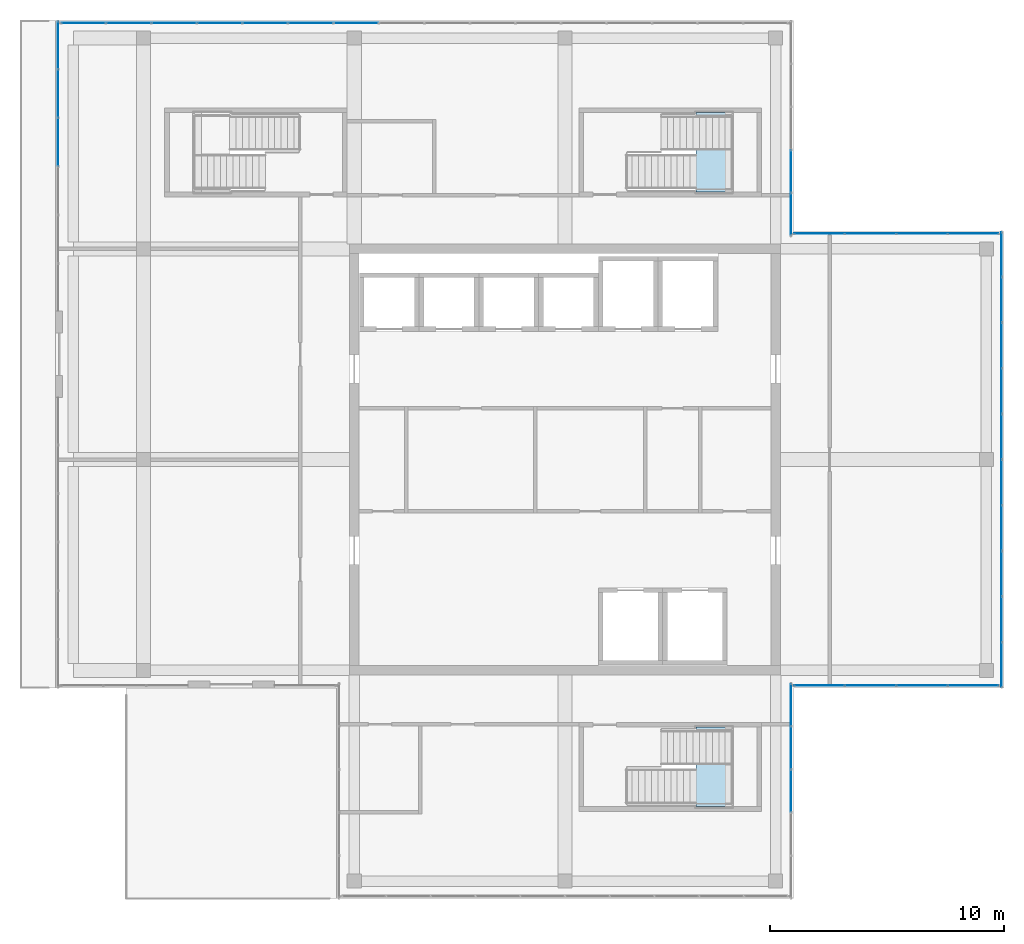
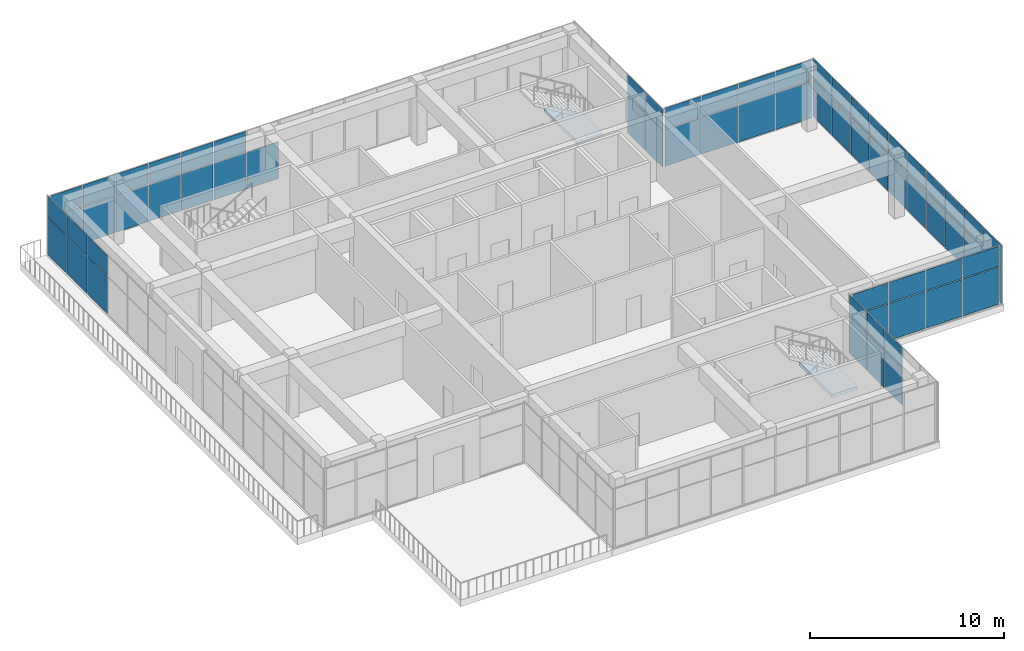
# One storey, part 27 of 32: 65 plates, 2 slabs, 9 elements without a shape of their own.
"""IFC4 building model written with IfcOpenShell, lengths in metres."""

from ifc_helpers import new_model, si_unit, direction, frame, origin, origin_2d, place, context, subcontext, project, spatial, polyline, rectangle, outline, extrude, material, layer, layer_set, type_object, element, aggregate, save


model = new_model("IFC4")

# Units and contexts
model_context = context("Model", 3, precision=1e-05, world=origin(), true_north=direction((0.0, 1.0)))
body_context = subcontext(model_context, "Body", "Model", "MODEL_VIEW")
ifc_project = project(units=[si_unit("LENGTHUNIT", "METRE"), si_unit("AREAUNIT", "SQUARE_METRE"), si_unit("VOLUMEUNIT", "CUBIC_METRE"), si_unit("PLANEANGLEUNIT", "RADIAN"), si_unit("MASSUNIT", "GRAM", prefix="KILO")], contexts=[model_context])

# Site, building, storey
site_placement = place(None, origin())
site = spatial("IfcSite", under=ifc_project, at=site_placement, CompositionType="ELEMENT")
building_placement = place(site_placement, origin())
building = spatial("IfcBuilding", under=site, at=building_placement, Name="Tuart Plaza Theatre", CompositionType="ELEMENT")
storey_placement = place(building_placement, frame((0.0, 0.0, 41.5)))
storey = spatial("IfcBuildingStorey", under=building, at=storey_placement, Name="L10", CompositionType="ELEMENT", Elevation=41.5)

# Curtain wall, plates
ifc_material_1 = material(Name="Aluminium and glass", Category="aluminium")
ifc_layer_1 = layer(ifc_material_1, 0.10009765625)
ifc_layer_set_1 = layer_set([ifc_layer_1], Name="CURTAIN WALL 2000 module")
curtain_wall_type = type_object("IfcCurtainWallType", Name="CURTAIN WALL 2000 module", PredefinedType="NOTDEFINED", material=ifc_layer_set_1)
curtain_wall_1_placement = place(storey_placement, origin())
curtain_wall_1 = element("IfcCurtainWall", 1, at=curtain_wall_1_placement, inside=storey, type_object=curtain_wall_type, Name="CW100", PredefinedType="NOTDEFINED")
ifc_material_2 = material(Name="Glass", Category="glass")
ifc_layer_2 = layer(ifc_material_2, 0.028076171875)
ifc_layer_set_2 = layer_set([ifc_layer_2], Name="CURTAIN PANEL double glazed 28")
plate_type_1 = type_object("IfcPlateType", Name="CURTAIN PANEL double glazed 28", PredefinedType="CURTAIN_PANEL", material=ifc_layer_set_2)
plate_1_placement = place(storey_placement, frame((141.64990234375, 59.85009765625, 0.0498046875), z_axis=(0.0, 0.0, 1.0), x_axis=(0.0, 1.0, 0.0)))
plate_1 = element("IfcPlate", 2, at=plate_1_placement, type_object=plate_type_1, Name="CW100 panel 3.1", PredefinedType="CURTAIN_PANEL", context=body_context, shape_type="SweptSolid", body=[
    extrude(rectangle(XDim=1.7900390625, YDim=0.028076171875, at=origin_2d()), origin(), (0.0, 0.0, 1.0), 2.324951171875),
])
plate_2_placement = place(storey_placement, frame((141.64990234375, 59.85009765625, 2.425048828125), z_axis=(0.0, 0.0, 1.0), x_axis=(0.0, 1.0, 0.0)))
plate_2 = element("IfcPlate", 3, at=plate_2_placement, type_object=plate_type_1, Name="CW100 panel 3.2", PredefinedType="CURTAIN_PANEL", context=body_context, shape_type="SweptSolid", body=[
    extrude(rectangle(XDim=1.7900390625, YDim=0.028076171875, at=origin_2d()), origin(), (0.0, 0.0, 1.0), 1.27490234375),
])
plate_3_placement = place(storey_placement, frame((141.64990234375, 61.68994140625, 0.0498046875), z_axis=(0.0, 0.0, 1.0), x_axis=(0.0, 1.0, 0.0)))
plate_3 = element("IfcPlate", 4, at=plate_3_placement, type_object=plate_type_1, Name="CW100 panel 4.1", PredefinedType="CURTAIN_PANEL", context=body_context, shape_type="SweptSolid", body=[
    extrude(rectangle(XDim=1.7900390625, YDim=0.028076171875, at=origin_2d()), origin(), (0.0, 0.0, 1.0), 2.324951171875),
])
plate_4_placement = place(storey_placement, frame((141.64990234375, 61.68994140625, 2.425048828125), z_axis=(0.0, 0.0, 1.0), x_axis=(0.0, 1.0, 0.0)))
plate_4 = element("IfcPlate", 5, at=plate_4_placement, type_object=plate_type_1, Name="CW100 panel 4.2", PredefinedType="CURTAIN_PANEL", context=body_context, shape_type="SweptSolid", body=[
    extrude(rectangle(XDim=1.7900390625, YDim=0.028076171875, at=origin_2d()), origin(), (0.0, 0.0, 1.0), 1.27490234375),
])
plate_5_placement = place(storey_placement, frame((141.64990234375, 63.517578125, 0.0498046875), z_axis=(0.0, 0.0, 1.0), x_axis=(0.0, 1.0, 0.0)))
plate_5 = element("IfcPlate", 6, at=plate_5_placement, type_object=plate_type_1, Name="CW100 panel 5.1", PredefinedType="CURTAIN_PANEL", context=body_context, shape_type="SweptSolid", body=[
    extrude(rectangle(XDim=1.764892578125, YDim=0.028076171875, at=origin_2d()), origin(), (0.0, 0.0, 1.0), 2.324951171875),
])
plate_6_placement = place(storey_placement, frame((141.64990234375, 63.517578125, 2.425048828125), z_axis=(0.0, 0.0, 1.0), x_axis=(0.0, 1.0, 0.0)))
plate_6 = element("IfcPlate", 7, at=plate_6_placement, type_object=plate_type_1, Name="CW100 panel 5.2", PredefinedType="CURTAIN_PANEL", context=body_context, shape_type="SweptSolid", body=[
    extrude(rectangle(XDim=1.764892578125, YDim=0.028076171875, at=origin_2d()), origin(), (0.0, 0.0, 1.0), 1.27490234375),
])
aggregate(curtain_wall_1, [plate_1, plate_2, plate_3, plate_4, plate_5, plate_6])

curtain_wall_2_placement = place(storey_placement, origin())
curtain_wall_2 = element("IfcCurtainWall", 8, at=curtain_wall_2_placement, inside=storey, type_object=curtain_wall_type, Name="CW101", PredefinedType="NOTDEFINED")
plate_7_placement = place(storey_placement, frame((142.862548828125, 64.35009765625, 0.0498046875), z_axis=(0.0, 0.0, 1.0), x_axis=(1.0, 0.0, 0.0)))
plate_7 = element("IfcPlate", 9, at=plate_7_placement, type_object=plate_type_1, Name="CW101 panel 1.1", PredefinedType="CURTAIN_PANEL", context=body_context, shape_type="SweptSolid", body=[
    extrude(rectangle(XDim=2.125, YDim=0.028076171875, at=origin_2d()), origin(), (0.0, 0.0, 1.0), 2.324951171875),
])
plate_8_placement = place(storey_placement, frame((142.862548828125, 64.35009765625, 2.425048828125), z_axis=(0.0, 0.0, 1.0), x_axis=(1.0, 0.0, 0.0)))
plate_8 = element("IfcPlate", 10, at=plate_8_placement, type_object=plate_type_1, Name="CW101 panel 1.2", PredefinedType="CURTAIN_PANEL", context=body_context, shape_type="SweptSolid", body=[
    extrude(rectangle(XDim=2.125, YDim=0.028076171875, at=origin_2d()), origin(), (0.0, 0.0, 1.0), 1.27490234375),
])
plate_9_placement = place(storey_placement, frame((147.25, 64.35009765625, 0.0498046875), z_axis=(0.0, 0.0, 1.0), x_axis=(1.0, 0.0, 0.0)))
plate_9 = element("IfcPlate", 11, at=plate_9_placement, type_object=plate_type_1, Name="CW101 panel 3.1", PredefinedType="CURTAIN_PANEL", context=body_context, shape_type="SweptSolid", body=[
    extrude(rectangle(XDim=2.14990234375, YDim=0.028076171875, at=origin_2d()), origin(), (0.0, 0.0, 1.0), 2.324951171875),
])
plate_10_placement = place(storey_placement, frame((147.25, 64.35009765625, 2.425048828125), z_axis=(0.0, 0.0, 1.0), x_axis=(1.0, 0.0, 0.0)))
plate_10 = element("IfcPlate", 12, at=plate_10_placement, type_object=plate_type_1, Name="CW101 panel 3.2", PredefinedType="CURTAIN_PANEL", context=body_context, shape_type="SweptSolid", body=[
    extrude(rectangle(XDim=2.14990234375, YDim=0.028076171875, at=origin_2d()), origin(), (0.0, 0.0, 1.0), 1.27490234375),
])
plate_11_placement = place(storey_placement, frame((149.4375, 64.35009765625, 0.0498046875), z_axis=(0.0, 0.0, 1.0), x_axis=(1.0, 0.0, 0.0)))
plate_11 = element("IfcPlate", 13, at=plate_11_placement, type_object=plate_type_1, Name="CW101 panel 4.1", PredefinedType="CURTAIN_PANEL", context=body_context, shape_type="SweptSolid", body=[
    extrude(rectangle(XDim=2.125, YDim=0.028076171875, at=origin_2d()), origin(), (0.0, 0.0, 1.0), 2.324951171875),
])
plate_12_placement = place(storey_placement, frame((149.4375, 64.35009765625, 2.425048828125), z_axis=(0.0, 0.0, 1.0), x_axis=(1.0, 0.0, 0.0)))
plate_12 = element("IfcPlate", 14, at=plate_12_placement, type_object=plate_type_1, Name="CW101 panel 4.2", PredefinedType="CURTAIN_PANEL", context=body_context, shape_type="SweptSolid", body=[
    extrude(rectangle(XDim=2.125, YDim=0.028076171875, at=origin_2d()), origin(), (0.0, 0.0, 1.0), 1.27490234375),
])

curtain_wall_3_placement = place(storey_placement, origin())
curtain_wall_3 = element("IfcCurtainWall", 15, at=curtain_wall_3_placement, inside=storey, type_object=curtain_wall_type, Name="CW102", PredefinedType="NOTDEFINED")
plate_13_placement = place(storey_placement, frame((150.64990234375, 65.237548828125, 0.0498046875), z_axis=(0.0, 0.0, 1.0), x_axis=(0.0, 1.0, 0.0)))
plate_13 = element("IfcPlate", 16, at=plate_13_placement, type_object=plate_type_1, Name="CW102 panel 1.1", PredefinedType="CURTAIN_PANEL", context=body_context, shape_type="SweptSolid", body=[
    extrude(rectangle(XDim=1.875, YDim=0.028076171875, at=origin_2d()), origin(), (0.0, 0.0, 1.0), 2.324951171875),
])
plate_14_placement = place(storey_placement, frame((150.64990234375, 65.237548828125, 2.425048828125), z_axis=(0.0, 0.0, 1.0), x_axis=(0.0, 1.0, 0.0)))
plate_14 = element("IfcPlate", 17, at=plate_14_placement, type_object=plate_type_1, Name="CW102 panel 1.2", PredefinedType="CURTAIN_PANEL", context=body_context, shape_type="SweptSolid", body=[
    extrude(rectangle(XDim=1.875, YDim=0.028076171875, at=origin_2d()), origin(), (0.0, 0.0, 1.0), 1.27490234375),
])
plate_15_placement = place(storey_placement, frame((150.64990234375, 67.175048828125, 0.0498046875), z_axis=(0.0, 0.0, 1.0), x_axis=(0.0, 1.0, 0.0)))
plate_15 = element("IfcPlate", 18, at=plate_15_placement, type_object=plate_type_1, Name="CW102 panel 2.1", PredefinedType="CURTAIN_PANEL", context=body_context, shape_type="SweptSolid", body=[
    extrude(rectangle(XDim=1.89990234375, YDim=0.028076171875, at=origin_2d()), origin(), (0.0, 0.0, 1.0), 2.324951171875),
])
plate_16_placement = place(storey_placement, frame((150.64990234375, 67.175048828125, 2.425048828125), z_axis=(0.0, 0.0, 1.0), x_axis=(0.0, 1.0, 0.0)))
plate_16 = element("IfcPlate", 19, at=plate_16_placement, type_object=plate_type_1, Name="CW102 panel 2.2", PredefinedType="CURTAIN_PANEL", context=body_context, shape_type="SweptSolid", body=[
    extrude(rectangle(XDim=1.89990234375, YDim=0.028076171875, at=origin_2d()), origin(), (0.0, 0.0, 1.0), 1.27490234375),
])
plate_17_placement = place(storey_placement, frame((150.64990234375, 69.125, 0.0498046875), z_axis=(0.0, 0.0, 1.0), x_axis=(0.0, 1.0, 0.0)))
plate_17 = element("IfcPlate", 20, at=plate_17_placement, type_object=plate_type_1, Name="CW102 panel 3.1", PredefinedType="CURTAIN_PANEL", context=body_context, shape_type="SweptSolid", body=[
    extrude(rectangle(XDim=1.89990234375, YDim=0.028076171875, at=origin_2d()), origin(), (0.0, 0.0, 1.0), 2.324951171875),
])
plate_18_placement = place(storey_placement, frame((150.64990234375, 69.125, 2.425048828125), z_axis=(0.0, 0.0, 1.0), x_axis=(0.0, 1.0, 0.0)))
plate_18 = element("IfcPlate", 21, at=plate_18_placement, type_object=plate_type_1, Name="CW102 panel 3.2", PredefinedType="CURTAIN_PANEL", context=body_context, shape_type="SweptSolid", body=[
    extrude(rectangle(XDim=1.89990234375, YDim=0.028076171875, at=origin_2d()), origin(), (0.0, 0.0, 1.0), 1.27490234375),
])
plate_19_placement = place(storey_placement, frame((150.64990234375, 71.074951171875, 0.0498046875), z_axis=(0.0, 0.0, 1.0), x_axis=(0.0, 1.0, 0.0)))
plate_19 = element("IfcPlate", 22, at=plate_19_placement, type_object=plate_type_1, Name="CW102 panel 4.1", PredefinedType="CURTAIN_PANEL", context=body_context, shape_type="SweptSolid", body=[
    extrude(rectangle(XDim=1.89990234375, YDim=0.028076171875, at=origin_2d()), origin(), (0.0, 0.0, 1.0), 2.324951171875),
])
plate_20_placement = place(storey_placement, frame((150.64990234375, 71.074951171875, 2.425048828125), z_axis=(0.0, 0.0, 1.0), x_axis=(0.0, 1.0, 0.0)))
plate_20 = element("IfcPlate", 23, at=plate_20_placement, type_object=plate_type_1, Name="CW102 panel 4.2", PredefinedType="CURTAIN_PANEL", context=body_context, shape_type="SweptSolid", body=[
    extrude(rectangle(XDim=1.89990234375, YDim=0.028076171875, at=origin_2d()), origin(), (0.0, 0.0, 1.0), 1.27490234375),
])
plate_21_placement = place(storey_placement, frame((150.64990234375, 73.02490234375, 0.0498046875), z_axis=(0.0, 0.0, 1.0), x_axis=(0.0, 1.0, 0.0)))
plate_21 = element("IfcPlate", 24, at=plate_21_placement, type_object=plate_type_1, Name="CW102 panel 5.1", PredefinedType="CURTAIN_PANEL", context=body_context, shape_type="SweptSolid", body=[
    extrude(rectangle(XDim=1.89990234375, YDim=0.028076171875, at=origin_2d()), origin(), (0.0, 0.0, 1.0), 2.324951171875),
])
plate_22_placement = place(storey_placement, frame((150.64990234375, 73.02490234375, 2.425048828125), z_axis=(0.0, 0.0, 1.0), x_axis=(0.0, 1.0, 0.0)))
plate_22 = element("IfcPlate", 25, at=plate_22_placement, type_object=plate_type_1, Name="CW102 panel 5.2", PredefinedType="CURTAIN_PANEL", context=body_context, shape_type="SweptSolid", body=[
    extrude(rectangle(XDim=1.89990234375, YDim=0.028076171875, at=origin_2d()), origin(), (0.0, 0.0, 1.0), 1.27490234375),
])
plate_23_placement = place(storey_placement, frame((150.64990234375, 74.97509765625, 0.0498046875), z_axis=(0.0, 0.0, 1.0), x_axis=(0.0, 1.0, 0.0)))
plate_23 = element("IfcPlate", 26, at=plate_23_placement, type_object=plate_type_1, Name="CW102 panel 6.1", PredefinedType="CURTAIN_PANEL", context=body_context, shape_type="SweptSolid", body=[
    extrude(rectangle(XDim=1.89990234375, YDim=0.028076171875, at=origin_2d()), origin(), (0.0, 0.0, 1.0), 2.324951171875),
])
plate_24_placement = place(storey_placement, frame((150.64990234375, 74.97509765625, 2.425048828125), z_axis=(0.0, 0.0, 1.0), x_axis=(0.0, 1.0, 0.0)))
plate_24 = element("IfcPlate", 27, at=plate_24_placement, type_object=plate_type_1, Name="CW102 panel 6.2", PredefinedType="CURTAIN_PANEL", context=body_context, shape_type="SweptSolid", body=[
    extrude(rectangle(XDim=1.89990234375, YDim=0.028076171875, at=origin_2d()), origin(), (0.0, 0.0, 1.0), 1.27490234375),
])
plate_25_placement = place(storey_placement, frame((150.64990234375, 76.925048828125, 0.0498046875), z_axis=(0.0, 0.0, 1.0), x_axis=(0.0, 1.0, 0.0)))
plate_25 = element("IfcPlate", 28, at=plate_25_placement, type_object=plate_type_1, Name="CW102 panel 7.1", PredefinedType="CURTAIN_PANEL", context=body_context, shape_type="SweptSolid", body=[
    extrude(rectangle(XDim=1.89990234375, YDim=0.028076171875, at=origin_2d()), origin(), (0.0, 0.0, 1.0), 2.324951171875),
])
plate_26_placement = place(storey_placement, frame((150.64990234375, 76.925048828125, 2.425048828125), z_axis=(0.0, 0.0, 1.0), x_axis=(0.0, 1.0, 0.0)))
plate_26 = element("IfcPlate", 29, at=plate_26_placement, type_object=plate_type_1, Name="CW102 panel 7.2", PredefinedType="CURTAIN_PANEL", context=body_context, shape_type="SweptSolid", body=[
    extrude(rectangle(XDim=1.89990234375, YDim=0.028076171875, at=origin_2d()), origin(), (0.0, 0.0, 1.0), 1.27490234375),
])
plate_27_placement = place(storey_placement, frame((150.64990234375, 78.875, 0.0498046875), z_axis=(0.0, 0.0, 1.0), x_axis=(0.0, 1.0, 0.0)))
plate_27 = element("IfcPlate", 30, at=plate_27_placement, type_object=plate_type_1, Name="CW102 panel 8.1", PredefinedType="CURTAIN_PANEL", context=body_context, shape_type="SweptSolid", body=[
    extrude(rectangle(XDim=1.89990234375, YDim=0.028076171875, at=origin_2d()), origin(), (0.0, 0.0, 1.0), 2.324951171875),
])
plate_28_placement = place(storey_placement, frame((150.64990234375, 78.875, 2.425048828125), z_axis=(0.0, 0.0, 1.0), x_axis=(0.0, 1.0, 0.0)))
plate_28 = element("IfcPlate", 31, at=plate_28_placement, type_object=plate_type_1, Name="CW102 panel 8.2", PredefinedType="CURTAIN_PANEL", context=body_context, shape_type="SweptSolid", body=[
    extrude(rectangle(XDim=1.89990234375, YDim=0.028076171875, at=origin_2d()), origin(), (0.0, 0.0, 1.0), 1.27490234375),
])
plate_29_placement = place(storey_placement, frame((150.64990234375, 80.824951171875, 0.0498046875), z_axis=(0.0, 0.0, 1.0), x_axis=(0.0, 1.0, 0.0)))
plate_29 = element("IfcPlate", 32, at=plate_29_placement, type_object=plate_type_1, Name="CW102 panel 9.1", PredefinedType="CURTAIN_PANEL", context=body_context, shape_type="SweptSolid", body=[
    extrude(rectangle(XDim=1.89990234375, YDim=0.028076171875, at=origin_2d()), origin(), (0.0, 0.0, 1.0), 2.324951171875),
])
plate_30_placement = place(storey_placement, frame((150.64990234375, 80.824951171875, 2.425048828125), z_axis=(0.0, 0.0, 1.0), x_axis=(0.0, 1.0, 0.0)))
plate_30 = element("IfcPlate", 33, at=plate_30_placement, type_object=plate_type_1, Name="CW102 panel 9.2", PredefinedType="CURTAIN_PANEL", context=body_context, shape_type="SweptSolid", body=[
    extrude(rectangle(XDim=1.89990234375, YDim=0.028076171875, at=origin_2d()), origin(), (0.0, 0.0, 1.0), 1.27490234375),
])
plate_31_placement = place(storey_placement, frame((150.64990234375, 82.762451171875, 0.0498046875), z_axis=(0.0, 0.0, 1.0), x_axis=(0.0, 1.0, 0.0)))
plate_31 = element("IfcPlate", 34, at=plate_31_placement, type_object=plate_type_1, Name="CW102 panel 10.1", PredefinedType="CURTAIN_PANEL", context=body_context, shape_type="SweptSolid", body=[
    extrude(rectangle(XDim=1.875, YDim=0.028076171875, at=origin_2d()), origin(), (0.0, 0.0, 1.0), 2.324951171875),
])
plate_32_placement = place(storey_placement, frame((150.64990234375, 82.762451171875, 2.425048828125), z_axis=(0.0, 0.0, 1.0), x_axis=(0.0, 1.0, 0.0)))
plate_32 = element("IfcPlate", 35, at=plate_32_placement, type_object=plate_type_1, Name="CW102 panel 10.2", PredefinedType="CURTAIN_PANEL", context=body_context, shape_type="SweptSolid", body=[
    extrude(rectangle(XDim=1.875, YDim=0.028076171875, at=origin_2d()), origin(), (0.0, 0.0, 1.0), 1.27490234375),
])
aggregate(curtain_wall_3, [plate_13, plate_14, plate_15, plate_16, plate_17, plate_18, plate_19, plate_20, plate_21, plate_22, plate_23, plate_24, plate_25, plate_26, plate_27, plate_28, plate_29, plate_30, plate_31, plate_32])

curtain_wall_4_placement = place(storey_placement, origin())
curtain_wall_4 = element("IfcCurtainWall", 36, at=curtain_wall_4_placement, inside=storey, type_object=curtain_wall_type, Name="CW103", PredefinedType="NOTDEFINED")
plate_33_placement = place(storey_placement, frame((149.4375, 83.64990234375, 0.0498046875), z_axis=(0.0, 0.0, 1.0), x_axis=(-1.0, 0.0, 0.0)))
plate_33 = element("IfcPlate", 37, at=plate_33_placement, type_object=plate_type_1, Name="CW103 panel 1.1", PredefinedType="CURTAIN_PANEL", context=body_context, shape_type="SweptSolid", body=[
    extrude(rectangle(XDim=2.125, YDim=0.028076171875, at=origin_2d()), origin(), (0.0, 0.0, 1.0), 2.324951171875),
])
plate_34_placement = place(storey_placement, frame((149.4375, 83.64990234375, 2.425048828125), z_axis=(0.0, 0.0, 1.0), x_axis=(-1.0, 0.0, 0.0)))
plate_34 = element("IfcPlate", 38, at=plate_34_placement, type_object=plate_type_1, Name="CW103 panel 1.2", PredefinedType="CURTAIN_PANEL", context=body_context, shape_type="SweptSolid", body=[
    extrude(rectangle(XDim=2.125, YDim=0.028076171875, at=origin_2d()), origin(), (0.0, 0.0, 1.0), 1.27490234375),
])
plate_35_placement = place(storey_placement, frame((147.25, 83.64990234375, 0.0498046875), z_axis=(0.0, 0.0, 1.0), x_axis=(-1.0, 0.0, 0.0)))
plate_35 = element("IfcPlate", 39, at=plate_35_placement, type_object=plate_type_1, Name="CW103 panel 2.1", PredefinedType="CURTAIN_PANEL", context=body_context, shape_type="SweptSolid", body=[
    extrude(rectangle(XDim=2.14990234375, YDim=0.028076171875, at=origin_2d()), origin(), (0.0, 0.0, 1.0), 2.324951171875),
])
plate_36_placement = place(storey_placement, frame((147.25, 83.64990234375, 2.425048828125), z_axis=(0.0, 0.0, 1.0), x_axis=(-1.0, 0.0, 0.0)))
plate_36 = element("IfcPlate", 40, at=plate_36_placement, type_object=plate_type_1, Name="CW103 panel 2.2", PredefinedType="CURTAIN_PANEL", context=body_context, shape_type="SweptSolid", body=[
    extrude(rectangle(XDim=2.14990234375, YDim=0.028076171875, at=origin_2d()), origin(), (0.0, 0.0, 1.0), 1.27490234375),
])
plate_37_placement = place(storey_placement, frame((145.050048828125, 83.64990234375, 0.0498046875), z_axis=(0.0, 0.0, 1.0), x_axis=(-1.0, 0.0, 0.0)))
plate_37 = element("IfcPlate", 41, at=plate_37_placement, type_object=plate_type_1, Name="CW103 panel 3.1", PredefinedType="CURTAIN_PANEL", context=body_context, shape_type="SweptSolid", body=[
    extrude(rectangle(XDim=2.14990234375, YDim=0.028076171875, at=origin_2d()), origin(), (0.0, 0.0, 1.0), 2.324951171875),
])
plate_38_placement = place(storey_placement, frame((145.050048828125, 83.64990234375, 2.425048828125), z_axis=(0.0, 0.0, 1.0), x_axis=(-1.0, 0.0, 0.0)))
plate_38 = element("IfcPlate", 42, at=plate_38_placement, type_object=plate_type_1, Name="CW103 panel 3.2", PredefinedType="CURTAIN_PANEL", context=body_context, shape_type="SweptSolid", body=[
    extrude(rectangle(XDim=2.14990234375, YDim=0.028076171875, at=origin_2d()), origin(), (0.0, 0.0, 1.0), 1.27490234375),
])
plate_39_placement = place(storey_placement, frame((142.862548828125, 83.64990234375, 0.0498046875), z_axis=(0.0, 0.0, 1.0), x_axis=(-1.0, 0.0, 0.0)))
plate_39 = element("IfcPlate", 43, at=plate_39_placement, type_object=plate_type_1, Name="CW103 panel 4.1", PredefinedType="CURTAIN_PANEL", context=body_context, shape_type="SweptSolid", body=[
    extrude(rectangle(XDim=2.125, YDim=0.028076171875, at=origin_2d()), origin(), (0.0, 0.0, 1.0), 2.324951171875),
])
plate_40_placement = place(storey_placement, frame((142.862548828125, 83.64990234375, 2.425048828125), z_axis=(0.0, 0.0, 1.0), x_axis=(-1.0, 0.0, 0.0)))
plate_40 = element("IfcPlate", 44, at=plate_40_placement, type_object=plate_type_1, Name="CW103 panel 4.2", PredefinedType="CURTAIN_PANEL", context=body_context, shape_type="SweptSolid", body=[
    extrude(rectangle(XDim=2.125, YDim=0.028076171875, at=origin_2d()), origin(), (0.0, 0.0, 1.0), 1.27490234375),
])
aggregate(curtain_wall_4, [plate_33, plate_34, plate_35, plate_36, plate_37, plate_38, plate_39, plate_40])

curtain_wall_5_placement = place(storey_placement, origin())
curtain_wall_5 = element("IfcCurtainWall", 45, at=curtain_wall_5_placement, inside=storey, type_object=curtain_wall_type, Name="CW104", PredefinedType="NOTDEFINED")
plate_41_placement = place(storey_placement, frame((141.64990234375, 84.482421875, 0.0498046875), z_axis=(0.0, 0.0, 1.0), x_axis=(0.0, 1.0, 0.0)))
plate_41 = element("IfcPlate", 46, at=plate_41_placement, type_object=plate_type_1, Name="CW104 panel 1.1", PredefinedType="CURTAIN_PANEL", context=body_context, shape_type="SweptSolid", body=[
    extrude(rectangle(XDim=1.764892578125, YDim=0.028076171875, at=origin_2d()), origin(), (0.0, 0.0, 1.0), 2.324951171875),
])
plate_42_placement = place(storey_placement, frame((141.64990234375, 84.482421875, 2.425048828125), z_axis=(0.0, 0.0, 1.0), x_axis=(0.0, 1.0, 0.0)))
plate_42 = element("IfcPlate", 47, at=plate_42_placement, type_object=plate_type_1, Name="CW104 panel 1.2", PredefinedType="CURTAIN_PANEL", context=body_context, shape_type="SweptSolid", body=[
    extrude(rectangle(XDim=1.764892578125, YDim=0.028076171875, at=origin_2d()), origin(), (0.0, 0.0, 1.0), 1.27490234375),
])
plate_43_placement = place(storey_placement, frame((141.64990234375, 86.31005859375, 0.0498046875), z_axis=(0.0, 0.0, 1.0), x_axis=(0.0, 1.0, 0.0)))
plate_43 = element("IfcPlate", 48, at=plate_43_placement, type_object=plate_type_1, Name="CW104 panel 2.1", PredefinedType="CURTAIN_PANEL", context=body_context, shape_type="SweptSolid", body=[
    extrude(rectangle(XDim=1.7900390625, YDim=0.028076171875, at=origin_2d()), origin(), (0.0, 0.0, 1.0), 2.324951171875),
])
plate_44_placement = place(storey_placement, frame((141.64990234375, 86.31005859375, 2.425048828125), z_axis=(0.0, 0.0, 1.0), x_axis=(0.0, 1.0, 0.0)))
plate_44 = element("IfcPlate", 49, at=plate_44_placement, type_object=plate_type_1, Name="CW104 panel 2.2", PredefinedType="CURTAIN_PANEL", context=body_context, shape_type="SweptSolid", body=[
    extrude(rectangle(XDim=1.7900390625, YDim=0.028076171875, at=origin_2d()), origin(), (0.0, 0.0, 1.0), 1.27490234375),
])
aggregate(curtain_wall_5, [plate_41, plate_42, plate_43, plate_44])

curtain_wall_6_placement = place(storey_placement, origin())
curtain_wall_6 = element("IfcCurtainWall", 50, at=curtain_wall_6_placement, inside=storey, type_object=curtain_wall_type, Name="CW105", PredefinedType="NOTDEFINED")
plate_45_placement = place(storey_placement, frame((123.08447265625, 92.64990234375, 0.0498046875), z_axis=(0.0, 0.0, 1.0), x_axis=(-1.0, 0.0, 0.0)))
plate_45 = element("IfcPlate", 51, at=plate_45_placement, type_object=plate_type_1, Name="CW105 panel 10.1", PredefinedType="CURTAIN_PANEL", context=body_context, shape_type="SweptSolid", body=[
    extrude(rectangle(XDim=1.893798828125, YDim=0.028076171875, at=origin_2d()), origin(), (0.0, 0.0, 1.0), 2.324951171875),
])
plate_46_placement = place(storey_placement, frame((121.140625, 92.64990234375, 0.0498046875), z_axis=(0.0, 0.0, 1.0), x_axis=(-1.0, 0.0, 0.0)))
plate_46 = element("IfcPlate", 52, at=plate_46_placement, type_object=plate_type_1, Name="CW105 panel 11.1", PredefinedType="CURTAIN_PANEL", context=body_context, shape_type="SweptSolid", body=[
    extrude(rectangle(XDim=1.893798828125, YDim=0.028076171875, at=origin_2d()), origin(), (0.0, 0.0, 1.0), 2.324951171875),
])
plate_47_placement = place(storey_placement, frame((121.140625, 92.64990234375, 2.425048828125), z_axis=(0.0, 0.0, 1.0), x_axis=(-1.0, 0.0, 0.0)))
plate_47 = element("IfcPlate", 53, at=plate_47_placement, type_object=plate_type_1, Name="CW105 panel 11.2", PredefinedType="CURTAIN_PANEL", context=body_context, shape_type="SweptSolid", body=[
    extrude(rectangle(XDim=1.893798828125, YDim=0.028076171875, at=origin_2d()), origin(), (0.0, 0.0, 1.0), 1.27490234375),
])
plate_48_placement = place(storey_placement, frame((119.19677734375, 92.64990234375, 0.0498046875), z_axis=(0.0, 0.0, 1.0), x_axis=(-1.0, 0.0, 0.0)))
plate_48 = element("IfcPlate", 54, at=plate_48_placement, type_object=plate_type_1, Name="CW105 panel 12.1", PredefinedType="CURTAIN_PANEL", context=body_context, shape_type="SweptSolid", body=[
    extrude(rectangle(XDim=1.893798828125, YDim=0.028076171875, at=origin_2d()), origin(), (0.0, 0.0, 1.0), 2.324951171875),
])
plate_49_placement = place(storey_placement, frame((119.19677734375, 92.64990234375, 2.425048828125), z_axis=(0.0, 0.0, 1.0), x_axis=(-1.0, 0.0, 0.0)))
plate_49 = element("IfcPlate", 55, at=plate_49_placement, type_object=plate_type_1, Name="CW105 panel 12.2", PredefinedType="CURTAIN_PANEL", context=body_context, shape_type="SweptSolid", body=[
    extrude(rectangle(XDim=1.893798828125, YDim=0.028076171875, at=origin_2d()), origin(), (0.0, 0.0, 1.0), 1.27490234375),
])
plate_50_placement = place(storey_placement, frame((117.253173828125, 92.64990234375, 0.0498046875), z_axis=(0.0, 0.0, 1.0), x_axis=(-1.0, 0.0, 0.0)))
plate_50 = element("IfcPlate", 56, at=plate_50_placement, type_object=plate_type_1, Name="CW105 panel 13.1", PredefinedType="CURTAIN_PANEL", context=body_context, shape_type="SweptSolid", body=[
    extrude(rectangle(XDim=1.893798828125, YDim=0.028076171875, at=origin_2d()), origin(), (0.0, 0.0, 1.0), 2.324951171875),
])
plate_51_placement = place(storey_placement, frame((117.253173828125, 92.64990234375, 2.425048828125), z_axis=(0.0, 0.0, 1.0), x_axis=(-1.0, 0.0, 0.0)))
plate_51 = element("IfcPlate", 57, at=plate_51_placement, type_object=plate_type_1, Name="CW105 panel 13.2", PredefinedType="CURTAIN_PANEL", context=body_context, shape_type="SweptSolid", body=[
    extrude(rectangle(XDim=1.893798828125, YDim=0.028076171875, at=origin_2d()), origin(), (0.0, 0.0, 1.0), 1.27490234375),
])
plate_52_placement = place(storey_placement, frame((115.309326171875, 92.64990234375, 0.0498046875), z_axis=(0.0, 0.0, 1.0), x_axis=(-1.0, 0.0, 0.0)))
plate_52 = element("IfcPlate", 58, at=plate_52_placement, type_object=plate_type_1, Name="CW105 panel 14.1", PredefinedType="CURTAIN_PANEL", context=body_context, shape_type="SweptSolid", body=[
    extrude(rectangle(XDim=1.893798828125, YDim=0.028076171875, at=origin_2d()), origin(), (0.0, 0.0, 1.0), 2.324951171875),
])
plate_53_placement = place(storey_placement, frame((115.309326171875, 92.64990234375, 2.425048828125), z_axis=(0.0, 0.0, 1.0), x_axis=(-1.0, 0.0, 0.0)))
plate_53 = element("IfcPlate", 59, at=plate_53_placement, type_object=plate_type_1, Name="CW105 panel 14.2", PredefinedType="CURTAIN_PANEL", context=body_context, shape_type="SweptSolid", body=[
    extrude(rectangle(XDim=1.893798828125, YDim=0.028076171875, at=origin_2d()), origin(), (0.0, 0.0, 1.0), 1.27490234375),
])
plate_54_placement = place(storey_placement, frame((113.36572265625, 92.64990234375, 0.0498046875), z_axis=(0.0, 0.0, 1.0), x_axis=(-1.0, 0.0, 0.0)))
plate_54 = element("IfcPlate", 60, at=plate_54_placement, type_object=plate_type_1, Name="CW105 panel 15.1", PredefinedType="CURTAIN_PANEL", context=body_context, shape_type="SweptSolid", body=[
    extrude(rectangle(XDim=1.893798828125, YDim=0.028076171875, at=origin_2d()), origin(), (0.0, 0.0, 1.0), 2.324951171875),
])
plate_55_placement = place(storey_placement, frame((113.36572265625, 92.64990234375, 2.425048828125), z_axis=(0.0, 0.0, 1.0), x_axis=(-1.0, 0.0, 0.0)))
plate_55 = element("IfcPlate", 61, at=plate_55_placement, type_object=plate_type_1, Name="CW105 panel 15.2", PredefinedType="CURTAIN_PANEL", context=body_context, shape_type="SweptSolid", body=[
    extrude(rectangle(XDim=1.893798828125, YDim=0.028076171875, at=origin_2d()), origin(), (0.0, 0.0, 1.0), 1.27490234375),
])
plate_56_placement = place(storey_placement, frame((111.434326171875, 92.64990234375, 0.0498046875), z_axis=(0.0, 0.0, 1.0), x_axis=(-1.0, 0.0, 0.0)))
plate_56 = element("IfcPlate", 62, at=plate_56_placement, type_object=plate_type_1, Name="CW105 panel 16.1", PredefinedType="CURTAIN_PANEL", context=body_context, shape_type="SweptSolid", body=[
    extrude(rectangle(XDim=1.86865234375, YDim=0.028076171875, at=origin_2d()), origin(), (0.0, 0.0, 1.0), 2.324951171875),
])
plate_57_placement = place(storey_placement, frame((111.434326171875, 92.64990234375, 2.425048828125), z_axis=(0.0, 0.0, 1.0), x_axis=(-1.0, 0.0, 0.0)))
plate_57 = element("IfcPlate", 63, at=plate_57_placement, type_object=plate_type_1, Name="CW105 panel 16.2", PredefinedType="CURTAIN_PANEL", context=body_context, shape_type="SweptSolid", body=[
    extrude(rectangle(XDim=1.86865234375, YDim=0.028076171875, at=origin_2d()), origin(), (0.0, 0.0, 1.0), 1.27490234375),
])
aggregate(curtain_wall_6, [plate_45, plate_46, plate_47, plate_48, plate_49, plate_50, plate_51, plate_52, plate_53, plate_54, plate_55, plate_56, plate_57])

curtain_wall_7_placement = place(storey_placement, origin())
curtain_wall_7 = element("IfcCurtainWall", 64, at=curtain_wall_7_placement, inside=storey, type_object=curtain_wall_type, Name="CW106", PredefinedType="NOTDEFINED")
plate_58_placement = place(storey_placement, frame((110.35009765625, 91.699951171875, 0.0498046875), z_axis=(0.0, 0.0, 1.0), x_axis=(0.0, -1.0, 0.0)))
plate_58 = element("IfcPlate", 65, at=plate_58_placement, type_object=plate_type_1, Name="CW106 panel 1.1", PredefinedType="CURTAIN_PANEL", context=body_context, shape_type="SweptSolid", body=[
    extrude(rectangle(XDim=2.0, YDim=0.028076171875, at=origin_2d()), origin(), (0.0, 0.0, 1.0), 2.324951171875),
])
plate_59_placement = place(storey_placement, frame((110.35009765625, 91.699951171875, 2.425048828125), z_axis=(0.0, 0.0, 1.0), x_axis=(0.0, -1.0, 0.0)))
plate_59 = element("IfcPlate", 66, at=plate_59_placement, type_object=plate_type_1, Name="CW106 panel 1.2", PredefinedType="CURTAIN_PANEL", context=body_context, shape_type="SweptSolid", body=[
    extrude(rectangle(XDim=2.0, YDim=0.028076171875, at=origin_2d()), origin(), (0.0, 0.0, 1.0), 1.27490234375),
])
plate_60_placement = place(storey_placement, frame((110.35009765625, 89.637451171875, 0.0498046875), z_axis=(0.0, 0.0, 1.0), x_axis=(0.0, -1.0, 0.0)))
plate_60 = element("IfcPlate", 67, at=plate_60_placement, type_object=plate_type_1, Name="CW106 panel 2.1", PredefinedType="CURTAIN_PANEL", context=body_context, shape_type="SweptSolid", body=[
    extrude(rectangle(XDim=2.02490234375, YDim=0.028076171875, at=origin_2d()), origin(), (0.0, 0.0, 1.0), 2.324951171875),
])
plate_61_placement = place(storey_placement, frame((110.35009765625, 89.637451171875, 2.425048828125), z_axis=(0.0, 0.0, 1.0), x_axis=(0.0, -1.0, 0.0)))
plate_61 = element("IfcPlate", 68, at=plate_61_placement, type_object=plate_type_1, Name="CW106 panel 2.2", PredefinedType="CURTAIN_PANEL", context=body_context, shape_type="SweptSolid", body=[
    extrude(rectangle(XDim=2.02490234375, YDim=0.028076171875, at=origin_2d()), origin(), (0.0, 0.0, 1.0), 1.27490234375),
])
plate_62_placement = place(storey_placement, frame((110.35009765625, 87.5625, 0.0498046875), z_axis=(0.0, 0.0, 1.0), x_axis=(0.0, -1.0, 0.0)))
plate_62 = element("IfcPlate", 69, at=plate_62_placement, type_object=plate_type_1, Name="CW106 panel 3.1", PredefinedType="CURTAIN_PANEL", context=body_context, shape_type="SweptSolid", body=[
    extrude(rectangle(XDim=2.02490234375, YDim=0.028076171875, at=origin_2d()), origin(), (0.0, 0.0, 1.0), 2.324951171875),
])
plate_63_placement = place(storey_placement, frame((110.35009765625, 87.5625, 2.425048828125), z_axis=(0.0, 0.0, 1.0), x_axis=(0.0, -1.0, 0.0)))
plate_63 = element("IfcPlate", 70, at=plate_63_placement, type_object=plate_type_1, Name="CW106 panel 3.2", PredefinedType="CURTAIN_PANEL", context=body_context, shape_type="SweptSolid", body=[
    extrude(rectangle(XDim=2.02490234375, YDim=0.028076171875, at=origin_2d()), origin(), (0.0, 0.0, 1.0), 1.27490234375),
])
aggregate(curtain_wall_7, [plate_58, plate_59, plate_60, plate_61, plate_62, plate_63])

# Plate
ifc_material_3 = material(Name="Zinc")
ifc_layer_3 = layer(ifc_material_3, 0.028076171875)
ifc_layer_set_3 = layer_set([ifc_layer_3], Name="CURTAIN PANEL zinc 28")
plate_type_2 = type_object("IfcPlateType", Name="CURTAIN PANEL zinc 28", PredefinedType="CURTAIN_PANEL", material=ifc_layer_set_3)
plate_64_placement = place(storey_placement, frame((145.050048828125, 64.35009765625, 0.0498046875), z_axis=(0.0, 0.0, 1.0), x_axis=(1.0, 0.0, 0.0)))
plate_64 = element("IfcPlate", 71, at=plate_64_placement, type_object=plate_type_2, Name="CW101 zinc panel 2.1", PredefinedType="CURTAIN_PANEL", context=body_context, shape_type="SweptSolid", body=[
    extrude(rectangle(XDim=2.14990234375, YDim=0.028076171875, at=origin_2d()), origin(), (0.0, 0.0, 1.0), 2.324951171875),
])

plate_65_placement = place(storey_placement, frame((145.050048828125, 64.35009765625, 2.425048828125), z_axis=(0.0, 0.0, 1.0), x_axis=(1.0, 0.0, 0.0)))
plate_65 = element("IfcPlate", 72, at=plate_65_placement, type_object=plate_type_2, Name="CW101 zinc panel 2.2", PredefinedType="CURTAIN_PANEL", context=body_context, shape_type="SweptSolid", body=[
    extrude(rectangle(XDim=2.14990234375, YDim=0.028076171875, at=origin_2d()), origin(), (0.0, 0.0, 1.0), 1.27490234375),
])

aggregate(curtain_wall_2, [plate_7, plate_8, plate_64, plate_65, plate_9, plate_10, plate_11, plate_12])

# Stair, slab
ifc_material_4 = material(Name="Concrete N40 (40 MPa)", Category="concrete")
stair_type = type_object("IfcStairType", Name="STAIR half turn 1500", PredefinedType="HALF_TURN_STAIR", material=ifc_material_4)
stair_1_placement = place(storey_placement, origin())
stair_1 = element("IfcStair", 73, at=stair_1_placement, inside=storey, type_object=stair_type, Name="SC-5", PredefinedType="HALF_TURN_STAIR")
ifc_material_5 = material(Name="Concrete N40 (40 MPa)", Category="concrete")
ifc_layer_4 = layer(ifc_material_5, 0.199951171875)
ifc_layer_set_4 = layer_set([ifc_layer_4], Name="STAIR LANDING 200")
slab_type = type_object("IfcSlabType", Name="STAIR LANDING 200", PredefinedType="LANDING", material=ifc_layer_set_4)
slab_1_placement = place(storey_placement, frame((0.0, 0.0, 1.800048828125)))
slab_1 = element("IfcSlab", 74, at=slab_1_placement, type_object=slab_type, Name="SC-5 landing 1", PredefinedType="LANDING", context=body_context, shape_type="SweptSolid", body=[
    extrude(outline(polyline([(137.60009765625, 59.177001953125), (139.1298828125, 59.177001953125), (139.1298828125, 62.572998046875), (137.60009765625, 62.572998046875), (137.60009765625, 59.177001953125)])), origin(), (0.0, 0.0, 1.0), 0.199951171875),
])
aggregate(stair_1, [slab_1])

stair_2_placement = place(storey_placement, origin())
stair_2 = element("IfcStair", 75, at=stair_2_placement, inside=storey, type_object=stair_type, Name="SC-11", PredefinedType="HALF_TURN_STAIR")
slab_2_placement = place(storey_placement, frame((0.0, 0.0, 1.800048828125)))
slab_2 = element("IfcSlab", 76, at=slab_2_placement, type_object=slab_type, Name="SC-11 landing 1", PredefinedType="LANDING", context=body_context, shape_type="SweptSolid", body=[
    extrude(outline(polyline([(137.60009765625, 85.427001953125), (139.1298828125, 85.427001953125), (139.1298828125, 88.822998046875), (137.60009765625, 88.822998046875), (137.60009765625, 85.427001953125)])), origin(), (0.0, 0.0, 1.0), 0.199951171875),
])
aggregate(stair_2, [slab_2])

save(model, "model.ifc")
